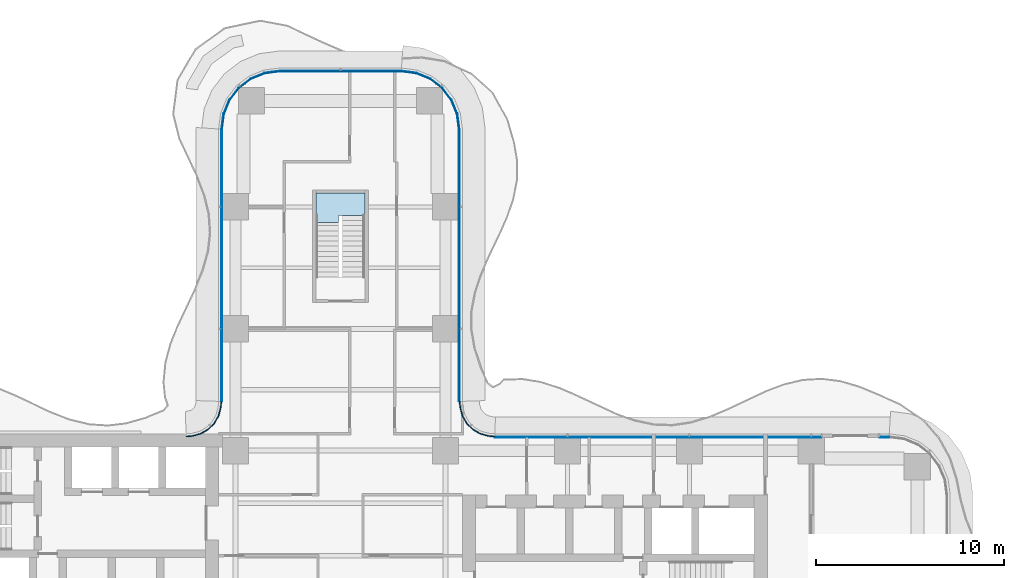
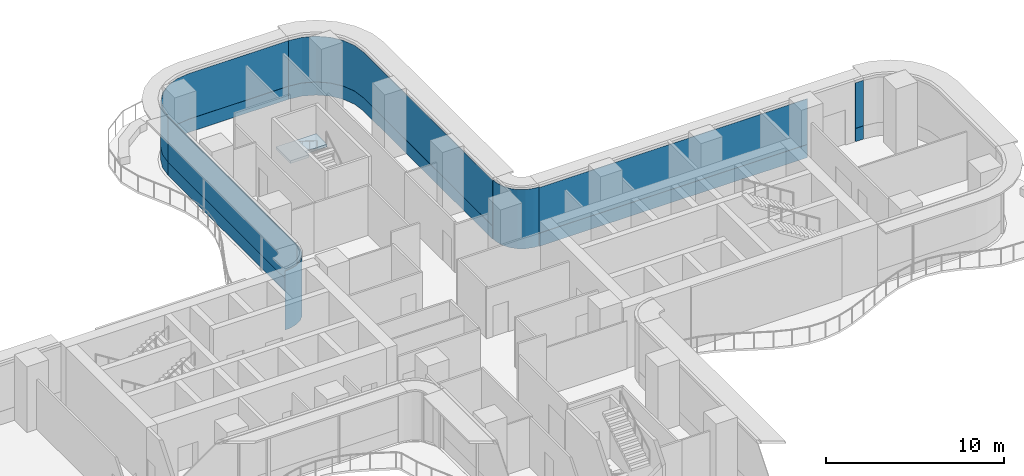
# One storey, part 16 of 22: 12 plates, 1 slab, 8 elements without a shape of their own.
"""IFC4 building model written with IfcOpenShell, lengths in metres."""

from ifc_helpers import new_model, si_unit, direction, frame, origin, place, context, subcontext, project, spatial, polyline, outline, extrude, source, transform, mapped, material, layer, layer_set, type_object, element, aggregate, save


model = new_model("IFC4")

# Units and contexts
model_context = context("Model", 3, precision=1e-05, world=origin(), true_north=direction((0.0, 1.0)))
body_context = subcontext(model_context, "Body", "Model", "MODEL_VIEW")
ifc_project = project(units=[si_unit("LENGTHUNIT", "METRE"), si_unit("AREAUNIT", "SQUARE_METRE"), si_unit("VOLUMEUNIT", "CUBIC_METRE"), si_unit("PLANEANGLEUNIT", "RADIAN"), si_unit("MASSUNIT", "GRAM", prefix="KILO")], contexts=[model_context])

# Site, building, storey
site_placement = place(None, origin())
site = spatial("IfcSite", under=ifc_project, at=site_placement, CompositionType="ELEMENT")
building_placement = place(site_placement, origin())
building = spatial("IfcBuilding", under=site, at=building_placement, Name="Trellis Farm Tower", CompositionType="ELEMENT")
storey_placement = place(building_placement, frame((0.0, 0.0, 88.0)))
storey = spatial("IfcBuildingStorey", under=building, at=storey_placement, Name="L18", CompositionType="ELEMENT", Elevation=88.0)

# Curtain wall, plate
ifc_material_1 = material(Name="Aluminium and glass curtain wall", Category="aluminium")
ifc_layer_1 = layer(ifc_material_1, 0.18994140625)
ifc_layer_set_1 = layer_set([ifc_layer_1], Name="RIBBON CURTAIN WALL CW1")
curtain_wall_type_1 = type_object("IfcCurtainWallType", Name="RIBBON CURTAIN WALL CW1", PredefinedType="NOTDEFINED", material=ifc_layer_set_1)
placement_1 = place(storey_placement, origin())
curtain_wall_1 = element("IfcCurtainWall", 1, at=placement_1, inside=storey, type_object=curtain_wall_type_1, Name="CW1 007", PredefinedType="NOTDEFINED")
ifc_material_2 = material(Name="Clear insulated glass", Category="glass")
ifc_layer_2 = layer(ifc_material_2, 0.0400390625)
ifc_layer_set_2 = layer_set([ifc_layer_2], Name="CW1 GLASS PANEL 40")
plate_type_1 = type_object("IfcPlateType", Name="CW1 GLASS PANEL 40", PredefinedType="CURTAIN_PANEL", material=ifc_layer_set_2)
placement_2 = place(storey_placement, frame((0.0, 0.0, 0.89990234375)))
plate_1 = element("IfcPlate", 2, at=placement_2, type_object=plate_type_1, Name="PL1 007", PredefinedType="CURTAIN_PANEL", context=body_context, shape_type="SweptSolid", body=[
    extrude(outline(polyline([(29.240234375, 6.35009765625), (28.735107421875, 6.35009765625), (28.735107421875, 6.31005859375), (29.237548828125, 6.31005859375), (29.240234375, 6.35009765625)])), origin(), (0.0, 0.0, 1.0), 3.1201171875),
])

curtain_wall_2 = element("IfcCurtainWall", 3, at=placement_1, inside=storey, type_object=curtain_wall_type_1, Name="CW1 008", PredefinedType="NOTDEFINED")
plate_2 = element("IfcPlate", 4, at=placement_2, type_object=plate_type_1, Name="PL1 008", PredefinedType="CURTAIN_PANEL", context=body_context, shape_type="SweptSolid", body=[
    extrude(outline(polyline([(25.614990234375, 6.35009765625), (8.2265625, 6.35009765625), (8.22509765625, 6.31005859375), (25.614990234375, 6.31005859375), (25.614990234375, 6.35009765625)])), origin(), (0.0, 0.0, 1.0), 3.1201171875),
])

curtain_wall_3 = element("IfcCurtainWall", 5, at=placement_1, inside=storey, type_object=curtain_wall_type_1, Name="CW1 009", PredefinedType="NOTDEFINED")
plate_3 = element("IfcPlate", 6, at=placement_2, type_object=plate_type_1, Name="PL1 009", PredefinedType="CURTAIN_PANEL", context=body_context, shape_type="SweptSolid", body=[
    extrude(outline(polyline([(6.35009765625, 8.2265625), (6.35009765625, 22.740234375), (6.2431640625, 23.552001953125), (5.93359375, 24.29931640625), (5.441162109375, 24.941162109375), (4.79931640625, 25.43359375), (4.052001953125, 25.7431640625), (3.240234375, 25.85009765625), (3.237548828125, 25.81005859375), (4.04150390625, 25.7041015625), (4.779296875, 25.398681640625), (5.41259765625, 24.91259765625), (5.898681640625, 24.279296875), (6.2041015625, 23.54150390625), (6.31005859375, 22.737548828125), (6.31005859375, 8.22509765625), (6.35009765625, 8.2265625)])), origin(), (0.0, 0.0, 1.0), 3.1201171875),
])

curtain_wall_4 = element("IfcCurtainWall", 7, at=placement_1, inside=storey, type_object=curtain_wall_type_1, Name="CW1 010", PredefinedType="NOTDEFINED")
plate_4 = element("IfcPlate", 8, at=placement_2, type_object=plate_type_1, Name="PL1 010", PredefinedType="CURTAIN_PANEL", context=body_context, shape_type="SweptSolid", body=[
    extrude(outline(polyline([(3.240234375, 25.85009765625), (-3.240234375, 25.85009765625), (-4.052001953125, 25.7431640625), (-4.79931640625, 25.43359375), (-5.441162109375, 24.941162109375), (-5.93359375, 24.29931640625), (-6.2431640625, 23.552001953125), (-6.35009765625, 22.740234375), (-6.31005859375, 22.737548828125), (-6.2041015625, 23.54150390625), (-5.898681640625, 24.279296875), (-5.41259765625, 24.91259765625), (-4.779296875, 25.398681640625), (-4.04150390625, 25.7041015625), (-3.237548828125, 25.81005859375), (3.237548828125, 25.81005859375), (3.240234375, 25.85009765625)])), origin(), (0.0, 0.0, 1.0), 3.1201171875),
])

curtain_wall_5 = element("IfcCurtainWall", 9, at=placement_1, inside=storey, type_object=curtain_wall_type_1, Name="CW1 011", PredefinedType="NOTDEFINED")
plate_5 = element("IfcPlate", 10, at=placement_2, type_object=plate_type_1, Name="PL1 011", PredefinedType="CURTAIN_PANEL", context=body_context, shape_type="SweptSolid", body=[
    extrude(outline(polyline([(-6.35009765625, 22.740234375), (-6.35009765625, 8.2265625), (-6.31005859375, 8.22509765625), (-6.31005859375, 22.737548828125), (-6.35009765625, 22.740234375)])), origin(), (0.0, 0.0, 1.0), 3.1201171875),
])

# Plate
ifc_material_3 = material(Name="Sandstone faced insulated panel", Category="masonry")
ifc_layer_3 = layer(ifc_material_3, 0.050048828125)
ifc_layer_set_3 = layer_set([ifc_layer_3], Name="CW1 STONE SPANDREL PANEL 50")
plate_type_2 = type_object("IfcPlateType", Name="CW1 STONE SPANDREL PANEL 50", PredefinedType="CURTAIN_PANEL", material=ifc_layer_set_3)
plate_6 = element("IfcPlate", 11, at=placement_1, type_object=plate_type_2, Name="PS1 007", PredefinedType="CURTAIN_PANEL", context=body_context, shape_type="SweptSolid", body=[
    extrude(outline(polyline([(29.240234375, 6.35009765625), (28.735107421875, 6.35009765625), (28.735107421875, 6.300048828125), (29.23681640625, 6.300048828125), (29.240234375, 6.35009765625)])), origin(), (0.0, 0.0, 1.0), 0.89990234375),
])

aggregate(curtain_wall_1, [plate_1, plate_6])

plate_7 = element("IfcPlate", 12, at=placement_1, type_object=plate_type_2, Name="PS1 008", PredefinedType="CURTAIN_PANEL", context=body_context, shape_type="SweptSolid", body=[
    extrude(outline(polyline([(25.614990234375, 6.35009765625), (8.2265625, 6.35009765625), (8.224853515625, 6.300048828125), (25.614990234375, 6.300048828125), (25.614990234375, 6.35009765625)])), origin(), (0.0, 0.0, 1.0), 0.89990234375),
])

aggregate(curtain_wall_2, [plate_2, plate_7])

# Curtain wall, plate
ifc_layer_4 = layer(ifc_material_1, 0.166015625)
ifc_layer_set_4 = layer_set([ifc_layer_4], Name="WINTER GARDEN CURTAIN WALL CW3")
curtain_wall_type_2 = type_object("IfcCurtainWallType", Name="WINTER GARDEN CURTAIN WALL CW3", PredefinedType="NOTDEFINED", material=ifc_layer_set_4)
curtain_wall_6 = element("IfcCurtainWall", 13, at=placement_1, inside=storey, type_object=curtain_wall_type_2, Name="CW3 003", PredefinedType="NOTDEFINED")
ifc_layer_5 = layer(ifc_material_2, 0.0458984375)
ifc_layer_set_5 = layer_set([ifc_layer_5], Name="CW3 GLASS PANEL 46")
plate_type_3 = type_object("IfcPlateType", Name="CW3 GLASS PANEL 46", PredefinedType="CURTAIN_PANEL", material=ifc_layer_set_5)
plate_8 = element("IfcPlate", 14, at=placement_1, type_object=plate_type_3, Name="PL3 003", PredefinedType="CURTAIN_PANEL", context=body_context, shape_type="SweptSolid", body=[
    extrude(outline(polyline([(8.2275390625, 6.3798828125), (8.0078125, 6.394287109375), (7.89208984375, 6.40966796875), (7.462158203125, 6.52490234375), (7.070556640625, 6.7509765625), (6.7509765625, 7.070556640625), (6.52490234375, 7.462158203125), (6.40966796875, 7.89208984375), (6.394287109375, 8.0078125), (6.3798828125, 8.2275390625), (6.333984375, 8.22607421875), (6.3486328125, 8.003173828125), (6.364501953125, 7.883056640625), (6.48193359375, 7.4443359375), (6.714111328125, 7.04248046875), (7.04248046875, 6.714111328125), (7.4443359375, 6.48193359375), (7.883056640625, 6.364501953125), (8.003173828125, 6.3486328125), (8.22607421875, 6.333984375), (8.2275390625, 6.3798828125)])), origin(), (0.0, 0.0, 1.0), 4.050048828125),
])
aggregate(curtain_wall_6, [plate_8])

curtain_wall_7 = element("IfcCurtainWall", 15, at=placement_1, inside=storey, type_object=curtain_wall_type_2, Name="CW3 004", PredefinedType="NOTDEFINED")
plate_9 = element("IfcPlate", 16, at=placement_1, type_object=plate_type_3, Name="PL3 004", PredefinedType="CURTAIN_PANEL", context=body_context, shape_type="SweptSolid", body=[
    extrude(outline(polyline([(-6.3798828125, 8.2275390625), (-6.394287109375, 8.0078125), (-6.40966796875, 7.89208984375), (-6.52490234375, 7.462158203125), (-6.7509765625, 7.070556640625), (-7.070556640625, 6.7509765625), (-7.462158203125, 6.52490234375), (-7.89208984375, 6.40966796875), (-8.0078125, 6.394287109375), (-8.2275390625, 6.3798828125), (-8.22607421875, 6.333984375), (-8.003173828125, 6.3486328125), (-7.883056640625, 6.364501953125), (-7.4443359375, 6.48193359375), (-7.04248046875, 6.714111328125), (-6.714111328125, 7.04248046875), (-6.48193359375, 7.4443359375), (-6.364501953125, 7.883056640625), (-6.3486328125, 8.003173828125), (-6.333984375, 8.22607421875), (-6.3798828125, 8.2275390625)])), origin(), (0.0, 0.0, 1.0), 4.050048828125),
])
aggregate(curtain_wall_7, [plate_9])

# Stair, slab
ifc_material_4 = material(Name="Concrete C50/60", Category="concrete")
stair_type = type_object("IfcStairType", Name="CORE EXIT STAIR 26 RISERS 173 MM", PredefinedType="HALF_TURN_STAIR", material=ifc_material_4)
stair = element("IfcStair", 17, at=placement_1, inside=storey, type_object=stair_type, Name="Exit stair N", PredefinedType="HALF_TURN_STAIR")
ifc_layer_6 = layer(ifc_material_4, 0.18994140625)
ifc_layer_set_6 = layer_set([ifc_layer_6], Name="CORE STAIR LANDING 190 CONCRETE C50/60")
slab_type = type_object("IfcSlabType", Name="CORE STAIR LANDING 190 CONCRETE C50/60", PredefinedType="LANDING", material=ifc_layer_set_6)
shared_shape_1 = source(origin(), body_context, "Body", "SweptSolid", [
    extrude(outline(polyline([(-0.10009765625, 17.753173828125), (-1.300048828125, 17.753173828125), (-1.300048828125, 18.14990234375), (-1.300048828125, 19.35009765625), (1.300048828125, 19.35009765625), (1.300048828125, 18.14990234375), (1.300048828125, 18.139892578125), (0.10009765625, 18.139892578125), (0.10009765625, 18.14990234375), (-0.10009765625, 18.14990234375), (-0.10009765625, 17.753173828125)])), origin(), (0.0, 0.0, 1.0), 0.18994140625),
])
slab_placement = place(storey_placement, frame((0.0, 0.0, 2.06005859375)))
slab = element("IfcSlab", 18, at=slab_placement, type_object=slab_type, Name="STN landing 1", PredefinedType="LANDING", context=body_context, shape_type="MappedRepresentation", body=[
    mapped(shared_shape_1, transform((0.0, 0.0, 0.0))),
])
aggregate(stair, [slab])

# Plate
shared_shape_2 = source(origin(), body_context, "Body", "SweptSolid", [
    extrude(outline(polyline([(6.35009765625, 8.2265625), (6.35009765625, 22.740234375), (6.2431640625, 23.552001953125), (5.93359375, 24.29931640625), (5.441162109375, 24.941162109375), (4.79931640625, 25.43359375), (4.052001953125, 25.7431640625), (3.240234375, 25.85009765625), (3.23681640625, 25.800048828125), (4.0390625, 25.6943359375), (4.774169921875, 25.389892578125), (5.405517578125, 24.905517578125), (5.889892578125, 24.274169921875), (6.1943359375, 23.5390625), (6.300048828125, 22.73681640625), (6.300048828125, 8.224853515625), (6.35009765625, 8.2265625)])), origin(), (0.0, 0.0, 1.0), 0.89990234375),
])
plate_10 = element("IfcPlate", 19, at=placement_1, type_object=plate_type_2, Name="PS1 009", PredefinedType="CURTAIN_PANEL", context=body_context, shape_type="MappedRepresentation", body=[
    mapped(shared_shape_2, transform((0.0, 0.0, 0.0))),
])

aggregate(curtain_wall_3, [plate_3, plate_10])

shared_shape_3 = source(origin(), body_context, "Body", "SweptSolid", [
    extrude(outline(polyline([(-6.35009765625, 22.740234375), (-6.35009765625, 8.2265625), (-6.300048828125, 8.224853515625), (-6.300048828125, 22.73681640625), (-6.35009765625, 22.740234375)])), origin(), (0.0, 0.0, 1.0), 0.89990234375),
])
plate_11 = element("IfcPlate", 20, at=placement_1, type_object=plate_type_2, Name="PS1 011", PredefinedType="CURTAIN_PANEL", context=body_context, shape_type="MappedRepresentation", body=[
    mapped(shared_shape_3, transform((0.0, 0.0, 0.0))),
])

aggregate(curtain_wall_5, [plate_5, plate_11])

shared_shape_4 = source(origin(), body_context, "Body", "SweptSolid", [
    extrude(outline(polyline([(3.240234375, 25.85009765625), (-3.240234375, 25.85009765625), (-4.052001953125, 25.7431640625), (-4.79931640625, 25.43359375), (-5.441162109375, 24.941162109375), (-5.93359375, 24.29931640625), (-6.2431640625, 23.552001953125), (-6.35009765625, 22.740234375), (-6.300048828125, 22.73681640625), (-6.1943359375, 23.5390625), (-5.889892578125, 24.274169921875), (-5.405517578125, 24.905517578125), (-4.774169921875, 25.389892578125), (-4.0390625, 25.6943359375), (-3.23681640625, 25.800048828125), (3.23681640625, 25.800048828125), (3.240234375, 25.85009765625)])), origin(), (0.0, 0.0, 1.0), 0.89990234375),
])
plate_12 = element("IfcPlate", 21, at=placement_1, type_object=plate_type_2, Name="PS1 010", PredefinedType="CURTAIN_PANEL", context=body_context, shape_type="MappedRepresentation", body=[
    mapped(shared_shape_4, transform((0.0, 0.0, 0.0))),
])

aggregate(curtain_wall_4, [plate_4, plate_12])

save(model, "model.ifc")
